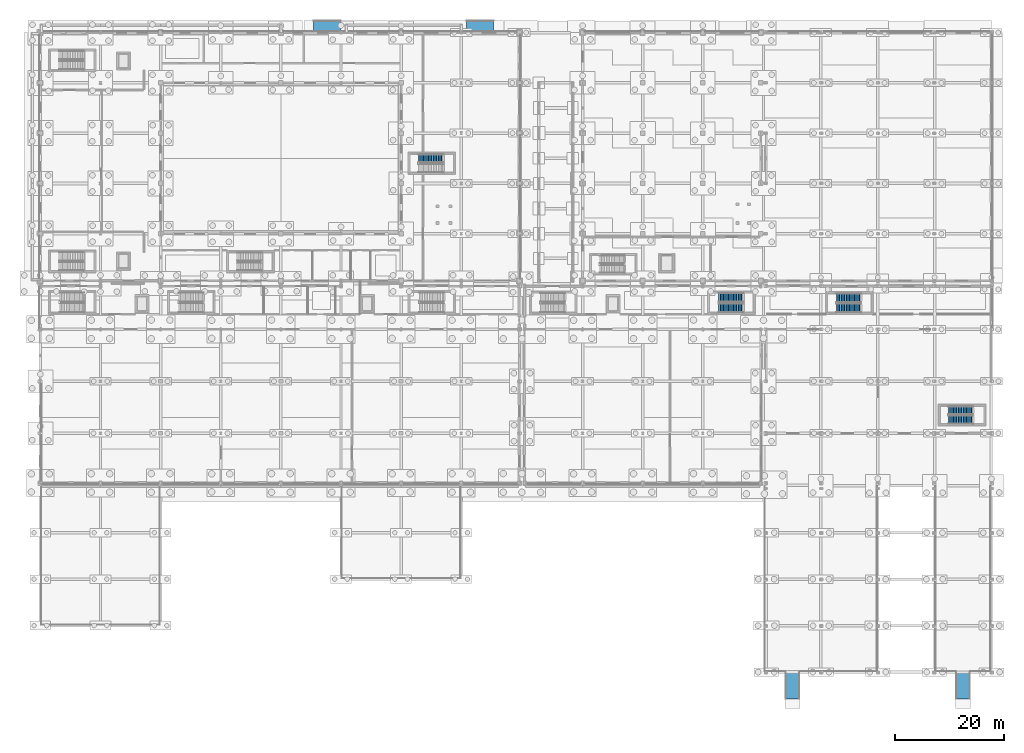
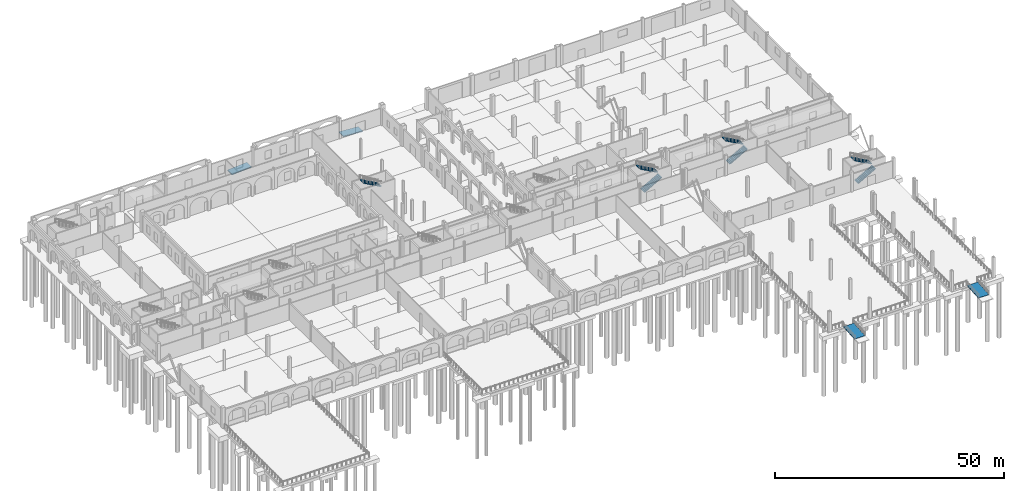
# One storey, part 64 of 83: 7 stair flights, 4 ramp flights, 8 elements without a shape of their own.
"""IFC4 building model written with IfcOpenShell, lengths in metres."""

from ifc_helpers import new_model, si_unit, direction, frame, origin, place, context, subcontext, project, spatial, polyline, outline, extrude, material, type_object, element, aggregate, save


model = new_model("IFC4")

# Units and contexts
model_context = context("Model", 3, precision=1e-05, world=origin(), true_north=direction((0.0, 1.0)))
body_context = subcontext(model_context, "Body", "Model", "MODEL_VIEW")
ifc_project = project(units=[si_unit("LENGTHUNIT", "METRE"), si_unit("AREAUNIT", "SQUARE_METRE"), si_unit("VOLUMEUNIT", "CUBIC_METRE"), si_unit("PLANEANGLEUNIT", "RADIAN"), si_unit("MASSUNIT", "GRAM", prefix="KILO")], contexts=[model_context])

# Site, building, storey
site_placement = place(None, origin())
site = spatial("IfcSite", under=ifc_project, at=site_placement, CompositionType="ELEMENT")
building_placement = place(site_placement, origin())
building = spatial("IfcBuilding", under=site, at=building_placement, Name="Caurita Quay Ferry Terminal", CompositionType="ELEMENT")
storey_placement = place(building_placement, origin())
storey = spatial("IfcBuildingStorey", under=building, at=storey_placement, Name="L00", CompositionType="ELEMENT", Elevation=0.0)

# Stair, stair flights
ifc_material = material(Name="Reinforced concrete C35/45", Category="concrete")
stair_type_1 = type_object("IfcStairType", Name="STR-DL-01", PredefinedType="HALF_TURN_STAIR", material=ifc_material)
stair_1_placement = place(storey_placement, origin())
stair_1 = element("IfcStair", 1, at=stair_1_placement, inside=storey, type_object=stair_type_1, Name="L00 Protected Exit Stair ST-10", PredefinedType="HALF_TURN_STAIR")
stair_flight_type_1 = type_object("IfcStairFlightType", Name="FLT-DL-01", PredefinedType="STRAIGHT", material=ifc_material)
stair_flight_1_placement = place(storey_placement, frame((145.64990234375, 66.625, 0.0), z_axis=(0.0, 0.0, 1.0), x_axis=(1.0, 0.0, 0.0)))
stair_flight_1 = element("IfcStairFlight", 2, at=stair_flight_1_placement, type_object=stair_flight_type_1, Name="ST-10 flight 1", NumberOfRisers=16, NumberOfTreads=15, PredefinedType="STRAIGHT", RiserHeight=0.16875, TreadLength=0.3, context=body_context, shape_type="SweptSolid", body=[
    extrude(outline(polyline([(0.0, 0.0), (0.0, 0.168701171875), (0.300048828125, 0.168701171875), (0.300048828125, 0.33740234375), (0.60009765625, 0.33740234375), (0.60009765625, 0.50634765625), (0.89990234375, 0.50634765625), (0.89990234375, 0.675048828125), (1.199951171875, 0.675048828125), (1.199951171875, 0.84375), (1.5, 0.84375), (1.5, 1.012451171875), (1.800048828125, 1.012451171875), (1.800048828125, 1.18115234375), (2.10009765625, 1.18115234375), (2.10009765625, 1.35009765625), (2.39990234375, 1.35009765625), (2.39990234375, 1.518798828125), (2.699951171875, 1.518798828125), (2.699951171875, 1.6875), (3.0, 1.6875), (3.0, 1.856201171875), (3.300048828125, 1.856201171875), (3.300048828125, 2.02490234375), (3.60009765625, 2.02490234375), (3.60009765625, 2.19384765625), (3.89990234375, 2.19384765625), (3.89990234375, 2.362548828125), (4.199951171875, 2.362548828125), (4.199951171875, 2.53125), (4.5, 2.53125), (4.5, 2.699951171875), (4.5, 2.359375), (0.3056640625, 0.0), (0.0, 0.0)])), frame((0.0, 0.824951171875, 0.0), z_axis=(0.0, -1.0, 0.0), x_axis=(1.0, 0.0, 0.0)), (0.0, 0.0, 1.0), 1.64990234375),
])
stair_flight_2_placement = place(storey_placement, frame((150.14990234375, 68.43505859375, 2.699951171875), z_axis=(0.0, 0.0, 1.0), x_axis=(-1.0, 0.0, 0.0)))
stair_flight_2 = element("IfcStairFlight", 3, at=stair_flight_2_placement, type_object=stair_flight_type_1, Name="ST-10 flight 2", NumberOfRisers=16, NumberOfTreads=15, PredefinedType="STRAIGHT", RiserHeight=0.16875, TreadLength=0.3, context=body_context, shape_type="SweptSolid", body=[
    extrude(outline(polyline([(0.0, 0.0), (0.0, 0.168701171875), (0.300048828125, 0.168701171875), (0.300048828125, 0.33740234375), (0.60009765625, 0.33740234375), (0.60009765625, 0.50634765625), (0.89990234375, 0.50634765625), (0.89990234375, 0.675048828125), (1.199951171875, 0.675048828125), (1.199951171875, 0.84375), (1.5, 0.84375), (1.5, 1.012451171875), (1.800048828125, 1.012451171875), (1.800048828125, 1.18115234375), (2.10009765625, 1.18115234375), (2.10009765625, 1.35009765625), (2.39990234375, 1.35009765625), (2.39990234375, 1.518798828125), (2.699951171875, 1.518798828125), (2.699951171875, 1.6875), (3.0, 1.6875), (3.0, 1.856201171875), (3.300048828125, 1.856201171875), (3.300048828125, 2.02490234375), (3.60009765625, 2.02490234375), (3.60009765625, 2.19384765625), (3.89990234375, 2.19384765625), (3.89990234375, 2.362548828125), (4.199951171875, 2.362548828125), (4.199951171875, 2.53125), (4.5, 2.53125), (4.5, 2.699951171875), (4.5, 2.359375), (0.3056640625, 0.0), (0.0, 0.0)])), frame((0.0, 0.824951171875, 0.0), z_axis=(0.0, -1.0, 0.0), x_axis=(1.0, 0.0, 0.0)), (0.0, 0.0, 1.0), 1.64990234375),
])
aggregate(stair_1, [stair_flight_1, stair_flight_2])

# Stair, stair flight
stair_type_2 = type_object("IfcStairType", Name="STR-DL-04", PredefinedType="HALF_TURN_STAIR", material=ifc_material)
stair_2_placement = place(storey_placement, origin())
stair_2 = element("IfcStair", 4, at=stair_2_placement, inside=storey, type_object=stair_type_2, Name="L00 Protected Exit Stair ST-04", PredefinedType="HALF_TURN_STAIR")
stair_flight_type_2 = type_object("IfcStairFlightType", Name="FLT-DL-04", PredefinedType="STRAIGHT", material=ifc_material)
stair_flight_3_placement = place(storey_placement, frame((73.699951171875, 93.9599609375, 2.699951171875), z_axis=(0.0, 0.0, 1.0), x_axis=(-1.0, 0.0, 0.0)))
stair_flight_3 = element("IfcStairFlight", 5, at=stair_flight_3_placement, type_object=stair_flight_type_2, Name="ST-04 flight 2", NumberOfRisers=16, NumberOfTreads=15, PredefinedType="STRAIGHT", RiserHeight=0.16875, TreadLength=0.3, context=body_context, shape_type="SweptSolid", body=[
    extrude(outline(polyline([(0.0, 0.0), (0.0, 0.168701171875), (0.300048828125, 0.168701171875), (0.300048828125, 0.33740234375), (0.60009765625, 0.33740234375), (0.60009765625, 0.50634765625), (0.89990234375, 0.50634765625), (0.89990234375, 0.675048828125), (1.199951171875, 0.675048828125), (1.199951171875, 0.84375), (1.5, 0.84375), (1.5, 1.012451171875), (1.800048828125, 1.012451171875), (1.800048828125, 1.18115234375), (2.10009765625, 1.18115234375), (2.10009765625, 1.35009765625), (2.39990234375, 1.35009765625), (2.39990234375, 1.518798828125), (2.699951171875, 1.518798828125), (2.699951171875, 1.6875), (3.0, 1.6875), (3.0, 1.856201171875), (3.300048828125, 1.856201171875), (3.300048828125, 2.02490234375), (3.60009765625, 2.02490234375), (3.60009765625, 2.19384765625), (3.89990234375, 2.19384765625), (3.89990234375, 2.362548828125), (4.199951171875, 2.362548828125), (4.199951171875, 2.53125), (4.5, 2.53125), (4.5, 2.699951171875), (4.5, 2.359375), (0.3056640625, 0.0), (0.0, 0.0)])), frame((0.0, 0.800048828125, 0.0), z_axis=(0.0, -1.0, 0.0), x_axis=(1.0, 0.0, 0.0)), (0.0, 0.0, 1.0), 1.60009765625),
])
aggregate(stair_2, [stair_flight_3])

# Stair, stair flights
stair_type_3 = type_object("IfcStairType", Name="STR-DL-10", PredefinedType="HALF_TURN_STAIR", material=ifc_material)
stair_3_placement = place(storey_placement, origin())
stair_3 = element("IfcStair", 6, at=stair_3_placement, inside=storey, type_object=stair_type_3, Name="L00 Protected Exit Stair ST-09", PredefinedType="HALF_TURN_STAIR")
stair_flight_type_3 = type_object("IfcStairFlightType", Name="FLT-DL-10", PredefinedType="STRAIGHT", material=ifc_material)
stair_flight_4_placement = place(storey_placement, frame((124.10009765625, 66.64990234375, 0.0), z_axis=(0.0, 0.0, 1.0), x_axis=(1.0, 0.0, 0.0)))
stair_flight_4 = element("IfcStairFlight", 7, at=stair_flight_4_placement, type_object=stair_flight_type_3, Name="ST-09 flight 1", NumberOfRisers=16, NumberOfTreads=15, PredefinedType="STRAIGHT", RiserHeight=0.16875, TreadLength=0.3, context=body_context, shape_type="SweptSolid", body=[
    extrude(outline(polyline([(0.0, 0.0), (0.0, 0.168701171875), (0.300048828125, 0.168701171875), (0.300048828125, 0.33740234375), (0.60009765625, 0.33740234375), (0.60009765625, 0.50634765625), (0.89990234375, 0.50634765625), (0.89990234375, 0.675048828125), (1.199951171875, 0.675048828125), (1.199951171875, 0.84375), (1.5, 0.84375), (1.5, 1.012451171875), (1.800048828125, 1.012451171875), (1.800048828125, 1.18115234375), (2.10009765625, 1.18115234375), (2.10009765625, 1.35009765625), (2.39990234375, 1.35009765625), (2.39990234375, 1.518798828125), (2.699951171875, 1.518798828125), (2.699951171875, 1.6875), (3.0, 1.6875), (3.0, 1.856201171875), (3.300048828125, 1.856201171875), (3.300048828125, 2.02490234375), (3.60009765625, 2.02490234375), (3.60009765625, 2.19384765625), (3.89990234375, 2.19384765625), (3.89990234375, 2.362548828125), (4.199951171875, 2.362548828125), (4.199951171875, 2.53125), (4.5, 2.53125), (4.5, 2.699951171875), (4.5, 2.359375), (0.3056640625, 0.0), (0.0, 0.0)])), frame((0.0, 0.85009765625, 0.0), z_axis=(0.0, -1.0, 0.0), x_axis=(1.0, 0.0, 0.0)), (0.0, 0.0, 1.0), 1.699951171875),
])
stair_flight_5_placement = place(storey_placement, frame((128.60009765625, 68.510009765625, 2.699951171875), z_axis=(0.0, 0.0, 1.0), x_axis=(-1.0, 0.0, 0.0)))
stair_flight_5 = element("IfcStairFlight", 8, at=stair_flight_5_placement, type_object=stair_flight_type_3, Name="ST-09 flight 2", NumberOfRisers=16, NumberOfTreads=15, PredefinedType="STRAIGHT", RiserHeight=0.16875, TreadLength=0.3, context=body_context, shape_type="SweptSolid", body=[
    extrude(outline(polyline([(0.0, 0.0), (0.0, 0.168701171875), (0.300048828125, 0.168701171875), (0.300048828125, 0.33740234375), (0.60009765625, 0.33740234375), (0.60009765625, 0.50634765625), (0.89990234375, 0.50634765625), (0.89990234375, 0.675048828125), (1.199951171875, 0.675048828125), (1.199951171875, 0.84375), (1.5, 0.84375), (1.5, 1.012451171875), (1.800048828125, 1.012451171875), (1.800048828125, 1.18115234375), (2.10009765625, 1.18115234375), (2.10009765625, 1.35009765625), (2.39990234375, 1.35009765625), (2.39990234375, 1.518798828125), (2.699951171875, 1.518798828125), (2.699951171875, 1.6875), (3.0, 1.6875), (3.0, 1.856201171875), (3.300048828125, 1.856201171875), (3.300048828125, 2.02490234375), (3.60009765625, 2.02490234375), (3.60009765625, 2.19384765625), (3.89990234375, 2.19384765625), (3.89990234375, 2.362548828125), (4.199951171875, 2.362548828125), (4.199951171875, 2.53125), (4.5, 2.53125), (4.5, 2.699951171875), (4.5, 2.359375), (0.3056640625, 0.0), (0.0, 0.0)])), frame((0.0, 0.85009765625, 0.0), z_axis=(0.0, -1.0, 0.0), x_axis=(1.0, 0.0, 0.0)), (0.0, 0.0, 1.0), 1.699951171875),
])
aggregate(stair_3, [stair_flight_4, stair_flight_5])

stair_type_4 = type_object("IfcStairType", Name="STR-DL-12", PredefinedType="HALF_TURN_STAIR", material=ifc_material)
stair_4_placement = place(storey_placement, origin())
stair_4 = element("IfcStair", 9, at=stair_4_placement, inside=storey, type_object=stair_type_4, Name="L00 Protected Exit Stair ST-11", PredefinedType="HALF_TURN_STAIR")
stair_flight_type_4 = type_object("IfcStairFlightType", Name="FLT-DL-12", PredefinedType="STRAIGHT", material=ifc_material)
stair_flight_6_placement = place(storey_placement, frame((166.14990234375, 46.175048828125, 0.0), z_axis=(0.0, 0.0, 1.0), x_axis=(1.0, 0.0, 0.0)))
stair_flight_6 = element("IfcStairFlight", 10, at=stair_flight_6_placement, type_object=stair_flight_type_4, Name="ST-11 flight 1", NumberOfRisers=16, NumberOfTreads=15, PredefinedType="STRAIGHT", RiserHeight=0.16875, TreadLength=0.3, context=body_context, shape_type="SweptSolid", body=[
    extrude(outline(polyline([(0.0, 0.0), (0.0, 0.168701171875), (0.300048828125, 0.168701171875), (0.300048828125, 0.33740234375), (0.60009765625, 0.33740234375), (0.60009765625, 0.50634765625), (0.89990234375, 0.50634765625), (0.89990234375, 0.675048828125), (1.199951171875, 0.675048828125), (1.199951171875, 0.84375), (1.5, 0.84375), (1.5, 1.012451171875), (1.800048828125, 1.012451171875), (1.800048828125, 1.18115234375), (2.10009765625, 1.18115234375), (2.10009765625, 1.35009765625), (2.39990234375, 1.35009765625), (2.39990234375, 1.518798828125), (2.699951171875, 1.518798828125), (2.699951171875, 1.6875), (3.0, 1.6875), (3.0, 1.856201171875), (3.300048828125, 1.856201171875), (3.300048828125, 2.02490234375), (3.60009765625, 2.02490234375), (3.60009765625, 2.19384765625), (3.89990234375, 2.19384765625), (3.89990234375, 2.362548828125), (4.199951171875, 2.362548828125), (4.199951171875, 2.53125), (4.5, 2.53125), (4.5, 2.699951171875), (4.5, 2.359375), (0.3056640625, 0.0), (0.0, 0.0)])), frame((0.0, 0.77490234375, 0.0), z_axis=(0.0, -1.0, 0.0), x_axis=(1.0, 0.0, 0.0)), (0.0, 0.0, 1.0), 1.550048828125),
])
stair_flight_7_placement = place(storey_placement, frame((170.64990234375, 47.885009765625, 2.699951171875), z_axis=(0.0, 0.0, 1.0), x_axis=(-1.0, 0.0, 0.0)))
stair_flight_7 = element("IfcStairFlight", 11, at=stair_flight_7_placement, type_object=stair_flight_type_4, Name="ST-11 flight 2", NumberOfRisers=16, NumberOfTreads=15, PredefinedType="STRAIGHT", RiserHeight=0.16875, TreadLength=0.3, context=body_context, shape_type="SweptSolid", body=[
    extrude(outline(polyline([(0.0, 0.0), (0.0, 0.168701171875), (0.300048828125, 0.168701171875), (0.300048828125, 0.33740234375), (0.60009765625, 0.33740234375), (0.60009765625, 0.50634765625), (0.89990234375, 0.50634765625), (0.89990234375, 0.675048828125), (1.199951171875, 0.675048828125), (1.199951171875, 0.84375), (1.5, 0.84375), (1.5, 1.012451171875), (1.800048828125, 1.012451171875), (1.800048828125, 1.18115234375), (2.10009765625, 1.18115234375), (2.10009765625, 1.35009765625), (2.39990234375, 1.35009765625), (2.39990234375, 1.518798828125), (2.699951171875, 1.518798828125), (2.699951171875, 1.6875), (3.0, 1.6875), (3.0, 1.856201171875), (3.300048828125, 1.856201171875), (3.300048828125, 2.02490234375), (3.60009765625, 2.02490234375), (3.60009765625, 2.19384765625), (3.89990234375, 2.19384765625), (3.89990234375, 2.362548828125), (4.199951171875, 2.362548828125), (4.199951171875, 2.53125), (4.5, 2.53125), (4.5, 2.699951171875), (4.5, 2.359375), (0.3056640625, 0.0), (0.0, 0.0)])), frame((0.0, 0.77490234375, 0.0), z_axis=(0.0, -1.0, 0.0), x_axis=(1.0, 0.0, 0.0)), (0.0, 0.0, 1.0), 1.550048828125),
])
aggregate(stair_4, [stair_flight_6, stair_flight_7])

# Ramp, ramp flight
ramp_type_1 = type_object("IfcRampType", Name="RMP-ASM-2", PredefinedType="STRAIGHT_RUN_RAMP", material=ifc_material)
ramp_1_placement = place(storey_placement, origin())
ramp_1 = element("IfcRamp", 12, at=ramp_1_placement, inside=storey, type_object=ramp_type_1, Name="Berth 1 Accessible Boarding Gangway Ramp", PredefinedType="STRAIGHT_RUN_RAMP")
ramp_flight_type_1 = type_object("IfcRampFlightType", Name="RMP-FLT-2", PredefinedType="STRAIGHT", material=ifc_material)
ramp_flight_1_placement = place(storey_placement, frame((137.60009765625, -4.89990234375, -0.35009765625), z_axis=(0.0, 0.0, 1.0), x_axis=(0.0, 1.0, 0.0)))
ramp_flight_1 = element("IfcRampFlight", 13, at=ramp_flight_1_placement, type_object=ramp_flight_type_1, Name="Berth 1 Accessible Boarding Gangway Ramp Flight 1", PredefinedType="STRAIGHT", context=body_context, shape_type="SweptSolid", body=[
    extrude(outline(polyline([(0.0, 0.0), (0.0, -0.219970703125), (4.89990234375, 0.130126953125), (4.89990234375, 0.35009765625), (0.0, 0.0)])), frame((0.0, 1.300048828125, 0.0), z_axis=(0.0, -1.0, 0.0), x_axis=(1.0, 0.0, 0.0)), (0.0, 0.0, 1.0), 2.60009765625),
])
aggregate(ramp_1, [ramp_flight_1])

ramp_2_placement = place(storey_placement, origin())
ramp_2 = element("IfcRamp", 14, at=ramp_2_placement, inside=storey, type_object=ramp_type_1, Name="Berth 2 Accessible Boarding Gangway Ramp", PredefinedType="STRAIGHT_RUN_RAMP")
ramp_flight_2_placement = place(storey_placement, frame((168.800048828125, -4.89990234375, -0.35009765625), z_axis=(0.0, 0.0, 1.0), x_axis=(0.0, 1.0, 0.0)))
ramp_flight_2 = element("IfcRampFlight", 15, at=ramp_flight_2_placement, type_object=ramp_flight_type_1, Name="Berth 2 Accessible Boarding Gangway Ramp Flight 1", PredefinedType="STRAIGHT", context=body_context, shape_type="SweptSolid", body=[
    extrude(outline(polyline([(0.0, 0.0), (0.0, -0.219970703125), (4.89990234375, 0.130126953125), (4.89990234375, 0.35009765625), (0.0, 0.0)])), frame((0.0, 1.300048828125, 0.0), z_axis=(0.0, -1.0, 0.0), x_axis=(1.0, 0.0, 0.0)), (0.0, 0.0, 1.0), 2.60009765625),
])
aggregate(ramp_2, [ramp_flight_2])

ramp_type_2 = type_object("IfcRampType", Name="RMP-ASM-3", PredefinedType="STRAIGHT_RUN_RAMP", material=ifc_material)
ramp_3_placement = place(storey_placement, origin())
ramp_3 = element("IfcRamp", 16, at=ramp_3_placement, inside=storey, type_object=ramp_type_2, Name="Forecourt West Accessible Entry Ramp", PredefinedType="STRAIGHT_RUN_RAMP")
ramp_flight_type_2 = type_object("IfcRampFlightType", Name="RMP-FLT-3", PredefinedType="STRAIGHT", material=ifc_material)
ramp_flight_3_placement = place(storey_placement, frame((50.0, 118.199951171875, -0.35009765625), z_axis=(0.0, 0.0, 1.0), x_axis=(1.0, 0.0, 0.0)))
ramp_flight_3 = element("IfcRampFlight", 17, at=ramp_flight_3_placement, type_object=ramp_flight_type_2, Name="Forecourt West Accessible Entry Ramp Flight 1", PredefinedType="STRAIGHT", context=body_context, shape_type="SweptSolid", body=[
    extrude(outline(polyline([(0.0, 0.0), (0.0, -0.219970703125), (4.89990234375, 0.130126953125), (4.89990234375, 0.35009765625), (0.0, 0.0)])), frame((0.0, 1.0, 0.0), z_axis=(0.0, -1.0, 0.0), x_axis=(1.0, 0.0, 0.0)), (0.0, 0.0, 1.0), 2.0),
])
aggregate(ramp_3, [ramp_flight_3])

ramp_4_placement = place(storey_placement, origin())
ramp_4 = element("IfcRamp", 18, at=ramp_4_placement, inside=storey, type_object=ramp_type_2, Name="Forecourt East Accessible Entry Ramp", PredefinedType="STRAIGHT_RUN_RAMP")
ramp_flight_4_placement = place(storey_placement, frame((82.89990234375, 118.199951171875, -0.35009765625), z_axis=(0.0, 0.0, 1.0), x_axis=(-1.0, 0.0, 0.0)))
ramp_flight_4 = element("IfcRampFlight", 19, at=ramp_flight_4_placement, type_object=ramp_flight_type_2, Name="Forecourt East Accessible Entry Ramp Flight 1", PredefinedType="STRAIGHT", context=body_context, shape_type="SweptSolid", body=[
    extrude(outline(polyline([(0.0, 0.0), (0.0, -0.219970703125), (4.89990234375, 0.130126953125), (4.89990234375, 0.35009765625), (0.0, 0.0)])), frame((0.0, 1.0, 0.0), z_axis=(0.0, -1.0, 0.0), x_axis=(1.0, 0.0, 0.0)), (0.0, 0.0, 1.0), 2.0),
])
aggregate(ramp_4, [ramp_flight_4])

save(model, "model.ifc")
